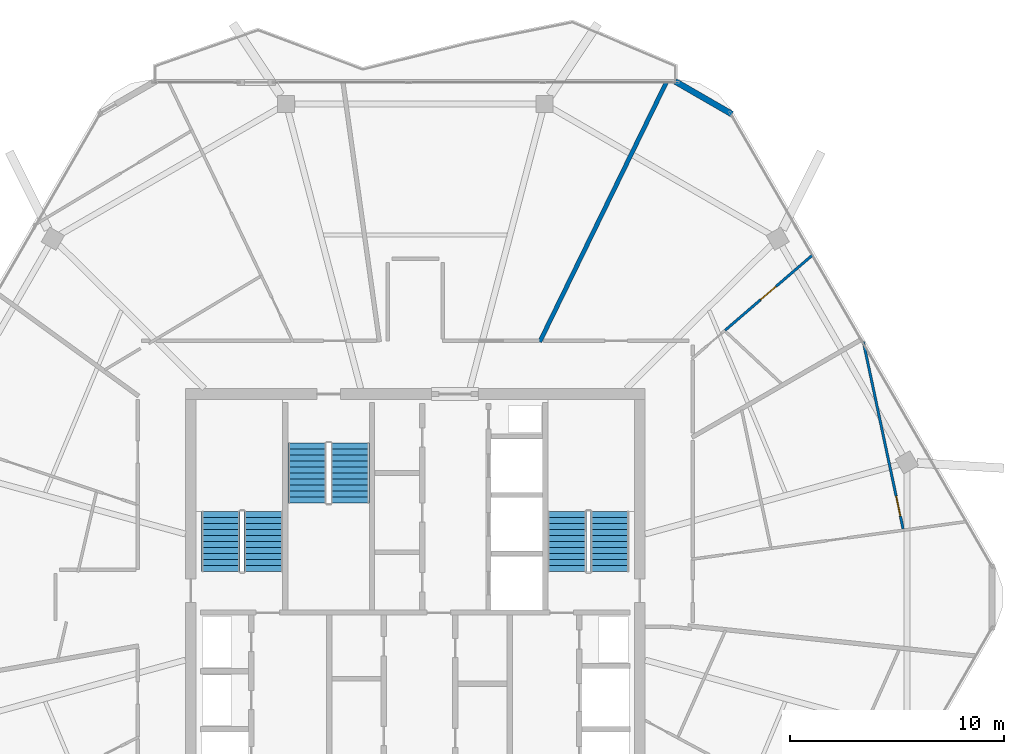
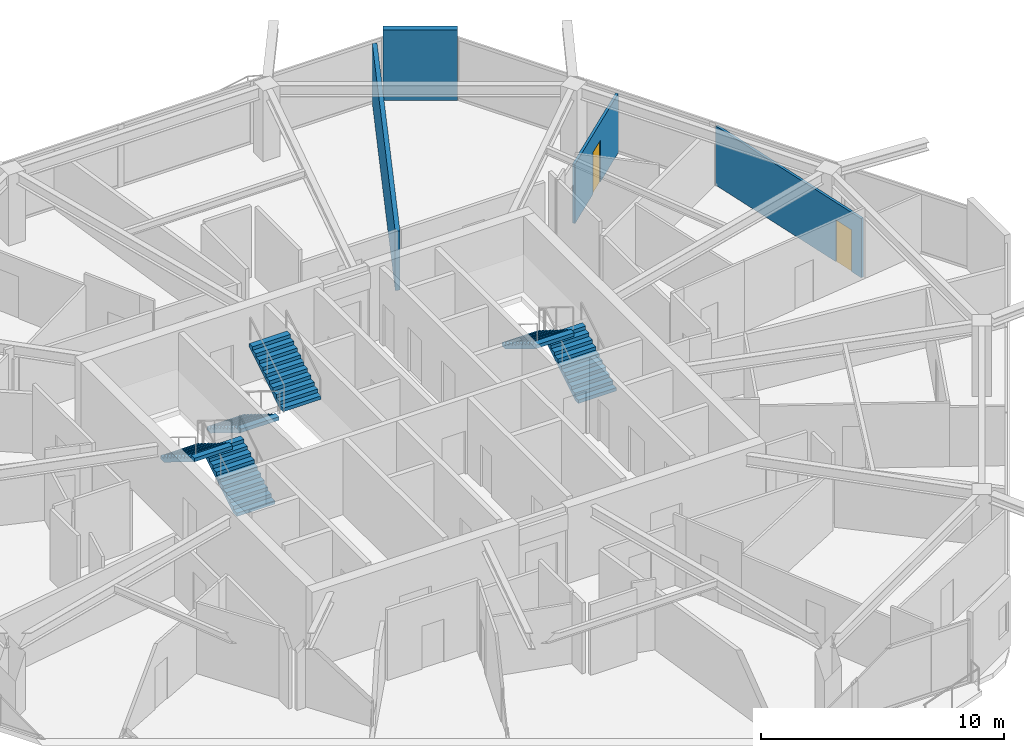
# One storey, part 18 of 20: 6 stair flights, 4 walls, 2 doors, 2 openings, 3 elements without a shape of their own.
"""IFC4 building model written with IfcOpenShell, lengths in metres."""

from ifc_helpers import new_model, si_unit, direction, frame, frame_2d, origin, place, context, subcontext, project, spatial, polyline, rectangle, outline, extrude, material, layer, layer_set, type_object, element, fill, aggregate, save


model = new_model("IFC4")

# Units and contexts
model_context = context("Model", 3, precision=1e-05, world=origin(), true_north=direction((0.0, 1.0)))
body_context = subcontext(model_context, "Body", "Model", "MODEL_VIEW")
ifc_project = project(units=[si_unit("LENGTHUNIT", "METRE"), si_unit("AREAUNIT", "SQUARE_METRE"), si_unit("VOLUMEUNIT", "CUBIC_METRE"), si_unit("PLANEANGLEUNIT", "RADIAN"), si_unit("MASSUNIT", "GRAM", prefix="KILO")], contexts=[model_context])

# Site, building, storey
site_placement = place(None, origin())
site = spatial("IfcSite", under=ifc_project, at=site_placement, CompositionType="ELEMENT")
building_placement = place(site_placement, origin())
building = spatial("IfcBuilding", under=site, at=building_placement, Name="Zuhravey Tower", CompositionType="ELEMENT")
storey_placement = place(building_placement, frame((0.0, 0.0, 312.0)))
storey = spatial("IfcBuildingStorey", under=building, at=storey_placement, Name="L79", CompositionType="ELEMENT", Elevation=312.0)

# Walls
ifc_material_1 = material(Name="Precast concrete C40/50", Category="concrete")
ifc_layer_1 = layer(ifc_material_1, 0.280029296875)
ifc_layer_set_1 = layer_set([ifc_layer_1], Name="Precast concrete C40/50")
wall_type_1 = type_object("IfcWallType", Name="Crown Architectural Wall 280", PredefinedType="SOLIDWALL", material=ifc_layer_set_1)
wall_1_placement = place(storey_placement, frame((48.156982421875, 56.12158203125, 0.0), z_axis=(0.0, 0.0, 1.0), x_axis=(0.866023752521, -0.50000286006, 0.0)))
element("IfcWall", 1, at=wall_1_placement, inside=storey, type_object=wall_type_1, Name="L79 Rounded Corner Closure Wall EW28-10", PredefinedType="SOLIDWALL", context=body_context, shape_type="SweptSolid", body=[
    extrude(rectangle(XDim=3.06494140625, YDim=0.280029296875, at=frame_2d((1.532470703125, 0.0))), origin(), (0.0, 0.0, 1.0), 3.550048828125),
])
ifc_material_2 = material(Name="Gypsum double-stud party assembly")
ifc_layer_2 = layer(ifc_material_2, 0.199951171875)
ifc_layer_set_2 = layer_set([ifc_layer_2], Name="Gypsum double-stud party assembly")
wall_type_2 = type_object("IfcWallType", Name="Inter-Tenancy Party Wall 200", PredefinedType="PARTITIONING", material=ifc_layer_set_2)
wall_2_placement = place(storey_placement, frame((41.823486328125, 43.93994140625, 0.0), z_axis=(0.0, 0.0, 1.0), x_axis=(0.438366981634, 0.898796077769, 0.0)))
element("IfcWall", 2, at=wall_2_placement, inside=storey, type_object=wall_type_2, Name="L79 IW20 Partition 093", PredefinedType="PARTITIONING", context=body_context, shape_type="SweptSolid", body=[
    extrude(rectangle(XDim=13.50048828125, YDim=0.199951171875, at=frame_2d((6.750244140625, 0.0))), origin(), (0.0, 0.0, 1.0), 2.969970703125),
])

# Wall, opening, door
ifc_material_3 = material(Name="Gypsum metal-stud partition")
ifc_layer_3 = layer(ifc_material_3, 0.1201171875)
ifc_layer_set_3 = layer_set([ifc_layer_3], Name="Gypsum metal-stud partition")
wall_type_3 = type_object("IfcWallType", Name="Unit Internal Partition 120", PredefinedType="PARTITIONING", material=ifc_layer_set_3)
wall_3_placement = place(storey_placement, frame((58.816650390625, 35.194091796875, 0.0), z_axis=(0.0, 0.0, 1.0), x_axis=(-0.20790706988, 0.978148582933, 0.0)))
wall_3 = element("IfcWall", 3, at=wall_3_placement, inside=storey, type_object=wall_type_3, Name="L79 IW12 Partition 046", PredefinedType="PARTITIONING", context=body_context, shape_type="SweptSolid", body=[
    extrude(rectangle(XDim=8.944580078125, YDim=0.1201171875, at=frame_2d((4.47216796875, 0.0))), origin(), (0.0, 0.0, 1.0), 2.969970703125),
])
opening_1_placement = place(wall_3_placement, frame((0.613037109375, 0.0, 0.0)))
opening_1 = element("IfcOpeningElement", 4, at=opening_1_placement, cuts=wall_3, Name="Opening IND1", PredefinedType="OPENING", context=body_context, shape_type="SweptSolid", body=[
    extrude(rectangle(XDim=0.949951171875, YDim=2.10009765625, at=frame_2d((0.47509765625, 1.050048828125))), frame((0.0, 0.072021484375, 0.0), z_axis=(0.0, -1.0, 0.0), x_axis=(1.0, 0.0, 0.0)), (0.0, 0.0, 1.0), 0.14404296875),
])
ifc_material_4 = material(Name="Painted engineered timber leaf", Category="wood")
door_type = type_object("IfcDoorType", Name="Internal Room & Bedroom Door 950x2100", OperationType="NOTDEFINED", PredefinedType="DOOR", material=ifc_material_4)
door_1_placement = place(opening_1_placement, frame((0.949951171875, 0.0, 0.0), z_axis=(0.0, 0.0, 1.0), x_axis=(-1.0, 0.0, 0.0)))
door_1 = element("IfcDoor", 5, at=door_1_placement, inside=storey, type_object=door_type, Name="Apartment L79-07 Bedroom 1 Door", OperationType="SINGLE_SWING_RIGHT", OverallHeight=2.10009765625, OverallWidth=0.949951171875, PredefinedType="DOOR", context=body_context, shape_type="SweptSolid", body=[
    extrude(rectangle(XDim=0.949951171875, YDim=2.10009765625, at=frame_2d((0.47509765625, 1.050048828125))), frame((0.0, 0.02490234375, 0.0), z_axis=(0.0, -1.0, 0.0), x_axis=(1.0, 0.0, 0.0)), (0.0, 0.0, 1.0), 0.050048828125),
])
fill(opening_1, door_1)

wall_4_placement = place(storey_placement, frame((50.490234375, 44.476806640625, 0.0), z_axis=(0.0, 0.0, 1.0), x_axis=(0.757798689284, 0.65248842635, 0.0)))
wall_4 = element("IfcWall", 6, at=wall_4_placement, inside=storey, type_object=wall_type_3, Name="L79 IW12 Partition 049", PredefinedType="PARTITIONING", context=body_context, shape_type="SweptSolid", body=[
    extrude(rectangle(XDim=5.385498046875, YDim=0.1201171875, at=frame_2d((2.69287109375, 0.0))), origin(), (0.0, 0.0, 1.0), 2.969970703125),
])
opening_2_placement = place(wall_4_placement, frame((2.192626953125, 0.0, 0.0)))
opening_2 = element("IfcOpeningElement", 7, at=opening_2_placement, cuts=wall_4, Name="Opening IND1", PredefinedType="OPENING", context=body_context, shape_type="SweptSolid", body=[
    extrude(rectangle(XDim=0.949951171875, YDim=2.10009765625, at=frame_2d((0.47509765625, 1.050048828125))), frame((0.0, 0.072021484375, 0.0), z_axis=(0.0, -1.0, 0.0), x_axis=(1.0, 0.0, 0.0)), (0.0, 0.0, 1.0), 0.14404296875),
])
door_2_placement = place(opening_2_placement, frame((0.949951171875, 0.0, 0.0), z_axis=(0.0, 0.0, 1.0), x_axis=(-1.0, 0.0, 0.0)))
door_2 = element("IfcDoor", 8, at=door_2_placement, inside=storey, type_object=door_type, Name="Apartment L79-08 Bedroom 1 Door", OperationType="SINGLE_SWING_LEFT", OverallHeight=2.10009765625, OverallWidth=0.949951171875, PredefinedType="DOOR", context=body_context, shape_type="SweptSolid", body=[
    extrude(rectangle(XDim=0.949951171875, YDim=2.10009765625, at=frame_2d((0.47509765625, 1.050048828125))), frame((0.0, 0.02490234375, 0.0), z_axis=(0.0, -1.0, 0.0), x_axis=(1.0, 0.0, 0.0)), (0.0, 0.0, 1.0), 0.050048828125),
])
fill(opening_2, door_2)

# Stair, stair flights
ifc_material_5 = material(Name="Concrete C40/50", Category="concrete")
stair_type = type_object("IfcStairType", Name="Housing Storey Stair Assembly 3800", PredefinedType="HALF_TURN_STAIR", material=ifc_material_5)
stair_1_placement = place(storey_placement, origin())
stair_1 = element("IfcStair", 9, at=stair_1_placement, inside=storey, type_object=stair_type, Name="L79 Core Exit Stair ST1", PredefinedType="HALF_TURN_STAIR")
stair_flight_type = type_object("IfcStairFlightType", Name="Housing Storey Stair Flight 3800", PredefinedType="STRAIGHT", material=ifc_material_5)
stair_flight_1_placement = place(storey_placement, frame((28.89990234375, 33.199951171875, 0.0), z_axis=(0.0, 0.0, 1.0), x_axis=(0.0, 1.0, 0.0)))
stair_flight_1 = element("IfcStairFlight", 10, at=stair_flight_1_placement, type_object=stair_flight_type, Name="ST1 flight 1", NumberOfRisers=11, NumberOfTreads=10, PredefinedType="STRAIGHT", RiserHeight=0.172727273, TreadLength=0.28, context=body_context, shape_type="SweptSolid", body=[
    extrude(outline(polyline([(0.0, 0.0), (0.0, 0.172607421875), (0.280029296875, 0.172607421875), (0.280029296875, 0.345458984375), (0.56005859375, 0.345458984375), (0.56005859375, 0.51806640625), (0.840087890625, 0.51806640625), (0.840087890625, 0.69091796875), (1.1201171875, 0.69091796875), (1.1201171875, 0.863525390625), (1.39990234375, 0.863525390625), (1.39990234375, 1.036376953125), (1.679931640625, 1.036376953125), (1.679931640625, 1.208984375), (1.9599609375, 1.208984375), (1.9599609375, 1.3818359375), (2.239990234375, 1.3818359375), (2.239990234375, 1.554443359375), (2.52001953125, 1.554443359375), (2.52001953125, 1.727294921875), (2.800048828125, 1.727294921875), (2.800048828125, 1.89990234375), (2.800048828125, 1.551025390625), (0.285400390625, 0.0), (0.0, 0.0)])), frame((0.0, 0.89990234375, 0.0), z_axis=(0.0, -1.0, 0.0), x_axis=(1.0, 0.0, 0.0)), (0.0, 0.0, 1.0), 1.800048828125),
])
stair_flight_2_placement = place(storey_placement, frame((26.89990234375, 36.0, 1.89990234375), z_axis=(0.0, 0.0, 1.0), x_axis=(0.0, -1.0, 0.0)))
stair_flight_2 = element("IfcStairFlight", 11, at=stair_flight_2_placement, type_object=stair_flight_type, Name="ST1 flight 2", NumberOfRisers=11, NumberOfTreads=10, PredefinedType="STRAIGHT", RiserHeight=0.172727273, TreadLength=0.28, context=body_context, shape_type="SweptSolid", body=[
    extrude(outline(polyline([(0.0, 0.0), (0.0, 0.172607421875), (0.280029296875, 0.172607421875), (0.280029296875, 0.345458984375), (0.56005859375, 0.345458984375), (0.56005859375, 0.51806640625), (0.840087890625, 0.51806640625), (0.840087890625, 0.69091796875), (1.1201171875, 0.69091796875), (1.1201171875, 0.863525390625), (1.39990234375, 0.863525390625), (1.39990234375, 1.036376953125), (1.679931640625, 1.036376953125), (1.679931640625, 1.208984375), (1.9599609375, 1.208984375), (1.9599609375, 1.3818359375), (2.239990234375, 1.3818359375), (2.239990234375, 1.554443359375), (2.52001953125, 1.554443359375), (2.52001953125, 1.727294921875), (2.800048828125, 1.727294921875), (2.800048828125, 1.89990234375), (2.800048828125, 1.551025390625), (0.285400390625, 0.0), (0.0, 0.0)])), frame((0.0, 0.89990234375, 0.0), z_axis=(0.0, -1.0, 0.0), x_axis=(1.0, 0.0, 0.0)), (0.0, 0.0, 1.0), 1.800048828125),
])
aggregate(stair_1, [stair_flight_1, stair_flight_2])

stair_2_placement = place(storey_placement, origin())
stair_2 = element("IfcStair", 12, at=stair_2_placement, inside=storey, type_object=stair_type, Name="L79 Core Exit Stair ST2", PredefinedType="HALF_TURN_STAIR")
stair_flight_3_placement = place(storey_placement, frame((45.10009765625, 33.199951171875, 0.0), z_axis=(0.0, 0.0, 1.0), x_axis=(0.0, 1.0, 0.0)))
stair_flight_3 = element("IfcStairFlight", 13, at=stair_flight_3_placement, type_object=stair_flight_type, Name="ST2 flight 1", NumberOfRisers=11, NumberOfTreads=10, PredefinedType="STRAIGHT", RiserHeight=0.172727273, TreadLength=0.28, context=body_context, shape_type="SweptSolid", body=[
    extrude(outline(polyline([(0.0, 0.0), (0.0, 0.172607421875), (0.280029296875, 0.172607421875), (0.280029296875, 0.345458984375), (0.56005859375, 0.345458984375), (0.56005859375, 0.51806640625), (0.840087890625, 0.51806640625), (0.840087890625, 0.69091796875), (1.1201171875, 0.69091796875), (1.1201171875, 0.863525390625), (1.39990234375, 0.863525390625), (1.39990234375, 1.036376953125), (1.679931640625, 1.036376953125), (1.679931640625, 1.208984375), (1.9599609375, 1.208984375), (1.9599609375, 1.3818359375), (2.239990234375, 1.3818359375), (2.239990234375, 1.554443359375), (2.52001953125, 1.554443359375), (2.52001953125, 1.727294921875), (2.800048828125, 1.727294921875), (2.800048828125, 1.89990234375), (2.800048828125, 1.551025390625), (0.285400390625, 0.0), (0.0, 0.0)])), frame((0.0, 0.89990234375, 0.0), z_axis=(0.0, -1.0, 0.0), x_axis=(1.0, 0.0, 0.0)), (0.0, 0.0, 1.0), 1.800048828125),
])
stair_flight_4_placement = place(storey_placement, frame((43.10009765625, 36.0, 1.89990234375), z_axis=(0.0, 0.0, 1.0), x_axis=(0.0, -1.0, 0.0)))
stair_flight_4 = element("IfcStairFlight", 14, at=stair_flight_4_placement, type_object=stair_flight_type, Name="ST2 flight 2", NumberOfRisers=11, NumberOfTreads=10, PredefinedType="STRAIGHT", RiserHeight=0.172727273, TreadLength=0.28, context=body_context, shape_type="SweptSolid", body=[
    extrude(outline(polyline([(0.0, 0.0), (0.0, 0.172607421875), (0.280029296875, 0.172607421875), (0.280029296875, 0.345458984375), (0.56005859375, 0.345458984375), (0.56005859375, 0.51806640625), (0.840087890625, 0.51806640625), (0.840087890625, 0.69091796875), (1.1201171875, 0.69091796875), (1.1201171875, 0.863525390625), (1.39990234375, 0.863525390625), (1.39990234375, 1.036376953125), (1.679931640625, 1.036376953125), (1.679931640625, 1.208984375), (1.9599609375, 1.208984375), (1.9599609375, 1.3818359375), (2.239990234375, 1.3818359375), (2.239990234375, 1.554443359375), (2.52001953125, 1.554443359375), (2.52001953125, 1.727294921875), (2.800048828125, 1.727294921875), (2.800048828125, 1.89990234375), (2.800048828125, 1.551025390625), (0.285400390625, 0.0), (0.0, 0.0)])), frame((0.0, 0.89990234375, 0.0), z_axis=(0.0, -1.0, 0.0), x_axis=(1.0, 0.0, 0.0)), (0.0, 0.0, 1.0), 1.800048828125),
])
aggregate(stair_2, [stair_flight_3, stair_flight_4])

stair_3_placement = place(storey_placement, origin())
stair_3 = element("IfcStair", 15, at=stair_3_placement, inside=storey, type_object=stair_type, Name="L79 Core Exit Stair ST3", PredefinedType="HALF_TURN_STAIR")
stair_flight_5_placement = place(storey_placement, frame((30.949951171875, 39.199951171875, 0.0), z_axis=(0.0, 0.0, 1.0), x_axis=(0.0, -1.0, 0.0)))
stair_flight_5 = element("IfcStairFlight", 16, at=stair_flight_5_placement, type_object=stair_flight_type, Name="ST3 flight 1", NumberOfRisers=11, NumberOfTreads=10, PredefinedType="STRAIGHT", RiserHeight=0.172727273, TreadLength=0.28, context=body_context, shape_type="SweptSolid", body=[
    extrude(outline(polyline([(0.0, 0.0), (0.0, 0.172607421875), (0.280029296875, 0.172607421875), (0.280029296875, 0.345458984375), (0.56005859375, 0.345458984375), (0.56005859375, 0.51806640625), (0.840087890625, 0.51806640625), (0.840087890625, 0.69091796875), (1.1201171875, 0.69091796875), (1.1201171875, 0.863525390625), (1.39990234375, 0.863525390625), (1.39990234375, 1.036376953125), (1.679931640625, 1.036376953125), (1.679931640625, 1.208984375), (1.9599609375, 1.208984375), (1.9599609375, 1.3818359375), (2.239990234375, 1.3818359375), (2.239990234375, 1.554443359375), (2.52001953125, 1.554443359375), (2.52001953125, 1.727294921875), (2.800048828125, 1.727294921875), (2.800048828125, 1.89990234375), (2.800048828125, 1.551025390625), (0.285400390625, 0.0), (0.0, 0.0)])), frame((0.0, 0.89990234375, 0.0), z_axis=(0.0, -1.0, 0.0), x_axis=(1.0, 0.0, 0.0)), (0.0, 0.0, 1.0), 1.800048828125),
])
stair_flight_6_placement = place(storey_placement, frame((32.949951171875, 36.39990234375, 1.89990234375), z_axis=(0.0, 0.0, 1.0), x_axis=(0.0, 1.0, 0.0)))
stair_flight_6 = element("IfcStairFlight", 17, at=stair_flight_6_placement, type_object=stair_flight_type, Name="ST3 flight 2", NumberOfRisers=11, NumberOfTreads=10, PredefinedType="STRAIGHT", RiserHeight=0.172727273, TreadLength=0.28, context=body_context, shape_type="SweptSolid", body=[
    extrude(outline(polyline([(0.0, 0.0), (0.0, 0.172607421875), (0.280029296875, 0.172607421875), (0.280029296875, 0.345458984375), (0.56005859375, 0.345458984375), (0.56005859375, 0.51806640625), (0.840087890625, 0.51806640625), (0.840087890625, 0.69091796875), (1.1201171875, 0.69091796875), (1.1201171875, 0.863525390625), (1.39990234375, 0.863525390625), (1.39990234375, 1.036376953125), (1.679931640625, 1.036376953125), (1.679931640625, 1.208984375), (1.9599609375, 1.208984375), (1.9599609375, 1.3818359375), (2.239990234375, 1.3818359375), (2.239990234375, 1.554443359375), (2.52001953125, 1.554443359375), (2.52001953125, 1.727294921875), (2.800048828125, 1.727294921875), (2.800048828125, 1.89990234375), (2.800048828125, 1.551025390625), (0.285400390625, 0.0), (0.0, 0.0)])), frame((0.0, 0.89990234375, 0.0), z_axis=(0.0, -1.0, 0.0), x_axis=(1.0, 0.0, 0.0)), (0.0, 0.0, 1.0), 1.800048828125),
])
aggregate(stair_3, [stair_flight_5, stair_flight_6])

save(model, "model.ifc")
